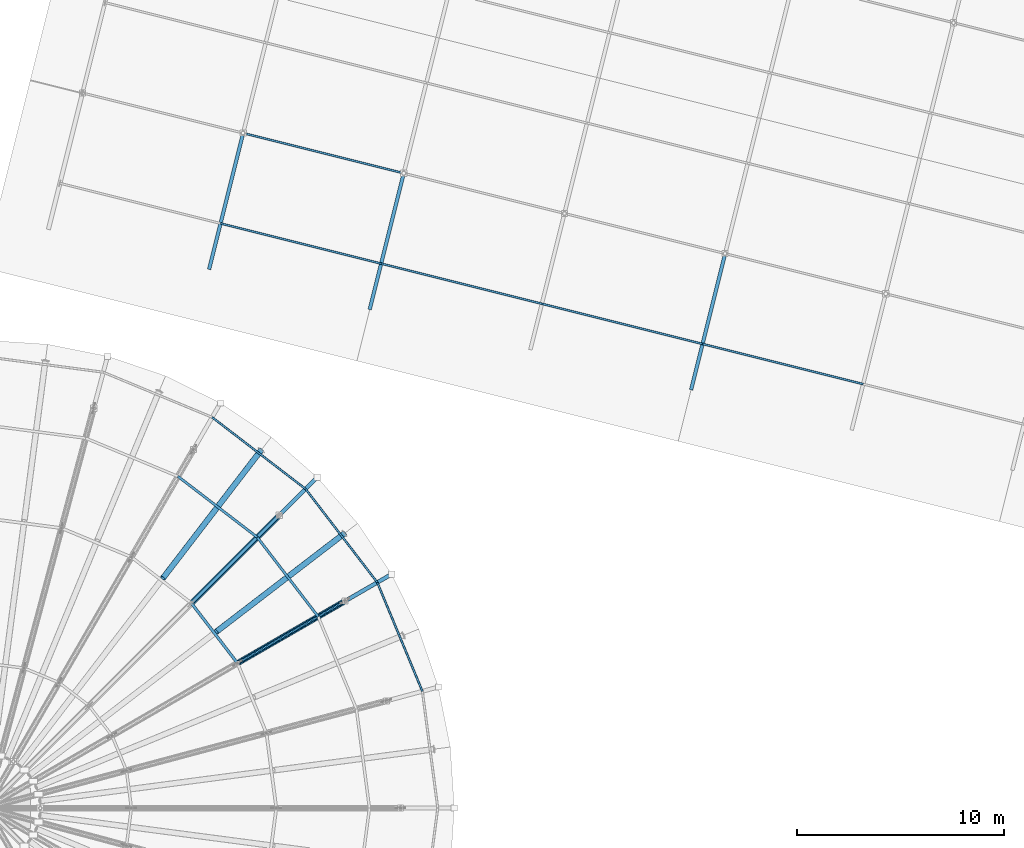
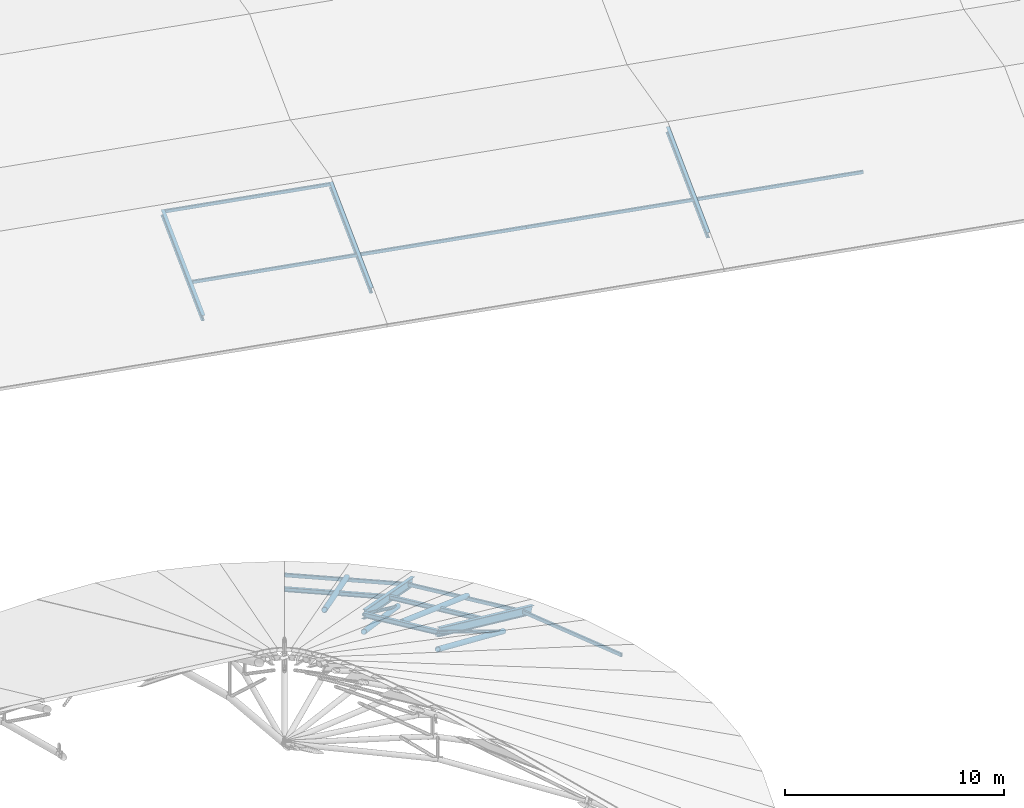
# One storey, part 52 of 107: 22 members.
"""IFC4 building model written with IfcOpenShell, lengths in metres."""

from ifc_helpers import new_model, si_unit, derived_unit, direction, frame, origin, origin_2d, place, context, subcontext, project, spatial, hollow_rectangle, hollow_circle, i_section, extrude, material, material_profile, profile_set, type_object, element, save


model = new_model("IFC4")

# Units and contexts
model_context = context("Model", 3, precision=1e-05, world=origin(), true_north=direction((0.0, 1.0)))
body_context = subcontext(model_context, "Body", "Model", "MODEL_VIEW")
ifc_project = project(units=[si_unit("LENGTHUNIT", "METRE"), si_unit("AREAUNIT", "SQUARE_METRE"), si_unit("VOLUMEUNIT", "CUBIC_METRE"), si_unit("PLANEANGLEUNIT", "RADIAN"), si_unit("MASSUNIT", "GRAM", prefix="KILO"), si_unit("THERMODYNAMICTEMPERATUREUNIT", "KELVIN"), si_unit("TIMEUNIT", "SECOND"), derived_unit("THERMALTRANSMITTANCEUNIT", [(si_unit("MASSUNIT", "GRAM", prefix="KILO"), 1), (si_unit("THERMODYNAMICTEMPERATUREUNIT", "KELVIN"), -1), (si_unit("TIMEUNIT", "SECOND"), -3)])], contexts=[model_context])

# Site, building, storey
site_placement = place(None, origin())
site = spatial("IfcSite", under=ifc_project, at=site_placement, CompositionType="ELEMENT")
building_placement = place(site_placement, origin())
building = spatial("IfcBuilding", under=site, at=building_placement, Name="Cambertide Market Hall", CompositionType="ELEMENT")
storey_placement = place(building_placement, frame((0.0, 0.0, 18.300048828125)))
storey = spatial("IfcBuildingStorey", under=building, at=storey_placement, Name="RF", CompositionType="ELEMENT", Elevation=18.300048828125)

# Members
ifc_material_1 = material(Name="Steel S355", Category="steel")
ifc_material_profile_1 = material_profile(ifc_material_1, hollow_circle(Radius=0.136474609375, WallThickness=0.010009765625, at=origin_2d()), Name="CHS 273x10")
ifc_profile_set_1 = profile_set([ifc_material_profile_1], Name="Steel S355")
member_type_1 = type_object("IfcMemberType", Name="Arched Truss Chord CHS 273x10", PredefinedType="CHORD", material=ifc_profile_set_1)
for number, where, z_axis, x_axis, name in (
    (1, (117.124267578125, 79.0, -7.756103515625), (0.7934706706, 0.458098458952, -0.400687030991), (-0.499990139034, 0.866031096941, 0.0), "Half-Cone Radial Arch Chord E-16-3"),
    (2, (114.8994140625, 81.8994140625, -7.756103515625), (0.647860639623, 0.647860639623, -0.400690882419), (-0.707106781187, 0.707106781187, 0.0), "Half-Cone Radial Arch Chord E-18-3"),
):
    element("IfcMember", number, at=place(storey_placement, frame(where, z_axis=z_axis, x_axis=x_axis)), inside=storey, type_object=member_type_1, Name=name, PredefinedType="CHORD", context=body_context, shape_type="SweptSolid", body=[
        extrude(hollow_circle(Radius=0.136474609375, WallThickness=0.010009765625, at=origin_2d()), origin(), (0.0, 0.0, 1.0), 6.548828125),
    ])
ifc_material_2 = material(Name="Steel S355", Category="steel")
ifc_material_profile_2 = material_profile(ifc_material_2, hollow_circle(Radius=0.136474609375, WallThickness=0.010009765625, at=origin_2d()), Name="CHS 273x10")
ifc_profile_set_2 = profile_set([ifc_material_profile_2], Name="Steel S355")
member_type_2 = type_object("IfcMemberType", Name="Exterior Radial Fan Rafter CHS 273x10", PredefinedType="RAFTER", material=ifc_profile_set_2)
for number, where, z_axis, x_axis, name in (
    (3, (116.10693359375, 80.522705078125, -6.7900390625), (0.720764281004, 0.553049453634, -0.417893710247), (-0.608752816622, 0.793359948734, 0.0), "RAF-E-17-B"),
    (4, (113.522705078125, 83.10693359375, -6.7900390625), (0.553049453634, 0.720764281004, -0.417893710247), (-0.793359948734, 0.608752816622, 0.0), "RAF-E-19-B"),
):
    element("IfcMember", number, at=place(storey_placement, frame(where, z_axis=z_axis, x_axis=x_axis)), inside=storey, type_object=member_type_2, Name=name, PredefinedType="RAFTER", context=body_context, shape_type="SweptSolid", body=[
        extrude(hollow_circle(Radius=0.136474609375, WallThickness=0.010009765625, at=origin_2d()), origin(), (0.0, 0.0, 1.0), 8.585693359375),
    ])
ifc_material_3 = material(Name="Steel S355", Category="steel")
ifc_material_profile_3 = material_profile(ifc_material_3, i_section(OverallWidth=0.18994140625, OverallDepth=0.449951171875, WebThickness=0.009521484375, FlangeThickness=0.0146484375, FilletRadius=0.02099609375, at=origin_2d()), Name="IPE 450")
ifc_profile_set_3 = profile_set([ifc_material_profile_3], Name="Steel S355")
member_type_3 = type_object("IfcMemberType", Name="Exterior Radial Fan Rafter IPE 450", PredefinedType="RAFTER", material=ifc_profile_set_3)
for number, where, z_axis, x_axis, name in (
    (5, (117.124267578125, 79.0, -6.7900390625), (0.78677929532, 0.454241443881, -0.417903159975), (-0.499995216735, 0.866028165386, 0.0), "Half-Cone Radial Truss Rafter E-16-3"),
    (6, (114.8994140625, 81.8994140625, -6.7900390625), (0.642401539007, 0.642401539007, -0.417900138025), (-0.707106781187, 0.707106781187, 0.0), "Half-Cone Radial Truss Rafter E-18-3"),
):
    element("IfcMember", number, at=place(storey_placement, frame(where, z_axis=z_axis, x_axis=x_axis)), inside=storey, type_object=member_type_3, Name=name, PredefinedType="RAFTER", context=body_context, shape_type="SweptSolid", body=[
        extrude(i_section(OverallWidth=0.18994140625, OverallDepth=0.449951171875, WebThickness=0.009521484375, FlangeThickness=0.0146484375, FilletRadius=0.02099609375, at=origin_2d()), origin(), (0.0, 0.0, 1.0), 9.466552734375),
    ])
ifc_material_4 = material(Name="Steel S275", Category="steel")
ifc_material_profile_4 = material_profile(ifc_material_4, hollow_rectangle(XDim=0.10009765625, YDim=0.199951171875, WallThickness=0.00634765625, InnerFilletRadius=0.00634765625, OuterFilletRadius=0.0126953125, at=origin_2d()), Name="RHS 200x100x6.3")
ifc_profile_set_4 = profile_set([ifc_material_profile_4], Name="Steel S275")
member_type_4 = type_object("IfcMemberType", Name="Exterior Roof Purlin RHS 200x100x6.3", PredefinedType="PURLIN", material=ifc_profile_set_4)
member_1_placement = place(storey_placement, frame((126.05712890625, 77.642333984375, -10.3779296875), z_axis=(-0.382680170901, 0.923880883447, 0.0), x_axis=(-0.923880883447, -0.382680170901, 0.0)))
element("IfcMember", 7, at=member_1_placement, inside=storey, type_object=member_type_4, Name="CPUR-E-218-08", PredefinedType="PURLIN", context=body_context, shape_type="SweptSolid", body=[
    extrude(hollow_rectangle(XDim=0.10009765625, YDim=0.199951171875, WallThickness=0.00634765625, InnerFilletRadius=0.00634765625, OuterFilletRadius=0.0126953125, at=origin_2d()), origin(), (0.0, 0.0, 1.0), 5.690673828125),
])
for number, where, z_axis, x_axis, name in (
    (8, (123.87939453125, 82.89990234375, -10.3779296875), (-0.608735904226, 0.793372925494, 0.0), (-0.793372925494, -0.608735904226, 0.0), "CPUR-E-218-09"),
    (9, (120.4150390625, 87.4150390625, -10.3779296875), (-0.793372925494, 0.608735904226, 0.0), (-0.608735904226, -0.793372925494, 0.0), "CPUR-E-218-10"),
):
    element("IfcMember", number, at=place(storey_placement, frame(where, z_axis=z_axis, x_axis=x_axis)), inside=storey, type_object=member_type_4, Name=name, PredefinedType="PURLIN", context=body_context, shape_type="SweptSolid", body=[
        extrude(hollow_rectangle(XDim=0.10009765625, YDim=0.199951171875, WallThickness=0.00634765625, InnerFilletRadius=0.00634765625, OuterFilletRadius=0.0126953125, at=origin_2d()), origin(), (0.0, 0.0, 1.0), 5.691162109375),
    ])
ifc_material_5 = material(Name="Steel S355", Category="steel")
ifc_material_profile_5 = material_profile(ifc_material_5, i_section(OverallWidth=0.169921875, OverallDepth=0.360107421875, WebThickness=0.008056640625, FlangeThickness=0.0126953125, FilletRadius=0.01806640625, at=origin_2d()), Name="IPE 360")
ifc_profile_set_5 = profile_set([ifc_material_profile_5], Name="Steel S355")
member_type_5 = type_object("IfcMemberType", Name="Radial Fan Rafter IPE 360", PredefinedType="RAFTER", material=ifc_profile_set_5)
member_2_placement = place(storey_placement, frame((115.76123046875, 98.059814453125, -0.3701171875), z_axis=(0.237649836416, 0.950670233014, 0.199370668135), x_axis=(-0.970146755268, 0.24251860391, 0.0)))
element("IfcMember", 10, at=member_2_placement, inside=storey, type_object=member_type_5, Name="RAF-V4-2-1", PredefinedType="RAFTER", context=body_context, shape_type="SweptSolid", body=[
    extrude(i_section(OverallWidth=0.169921875, OverallDepth=0.360107421875, WebThickness=0.008056640625, FlangeThickness=0.0126953125, FilletRadius=0.01806640625, at=origin_2d()), origin(), (0.0, 0.0, 1.0), 6.88818359375),
])
for number, where, z_axis, x_axis, name in (
    (11, (123.522216796875, 96.119384765625, -0.3701171875), (0.237675269494, 0.950665635794, 0.199362271235), (-0.970140372565, 0.242544135198, 0.0), "RAF-V4-3-1"),
    (12, (139.044677734375, 92.23876953125, -0.3701171875), (0.237641829002, 0.950673643448, 0.199363950505), (-0.970148882494, 0.242510094215, 0.0), "RAF-V4-5-1"),
):
    element("IfcMember", number, at=place(storey_placement, frame(where, z_axis=z_axis, x_axis=x_axis)), inside=storey, type_object=member_type_5, Name=name, PredefinedType="RAFTER", context=body_context, shape_type="SweptSolid", body=[
        extrude(i_section(OverallWidth=0.169921875, OverallDepth=0.360107421875, WebThickness=0.008056640625, FlangeThickness=0.0126953125, FilletRadius=0.01806640625, at=origin_2d()), origin(), (0.0, 0.0, 1.0), 6.888427734375),
    ])
ifc_material_6 = material(Name="Steel S275", Category="steel")
ifc_material_profile_6 = material_profile(ifc_material_6, i_section(OverallWidth=0.1201171875, OverallDepth=0.239990234375, WebThickness=0.006103515625, FlangeThickness=0.009765625, FilletRadius=0.014892578125, at=origin_2d()), Name="IPE 240")
ifc_profile_set_6 = profile_set([ifc_material_profile_6], Name="Steel S275")
member_type_6 = type_object("IfcMemberType", Name="Roof Purlin IPE 240", PredefinedType="PURLIN", material=ifc_profile_set_6)
for number, where, z_axis, x_axis, name in (
    (13, (121.021484375, 81.25, -8.860107421875), (-0.60874775518, 0.793363832402, 0.0), (-0.793363832402, -0.60874775518, 0.0), "CPUR-E-185-09"),
    (14, (118.08154296875, 85.08154296875, -8.860107421875), (-0.793363832402, 0.60874775518, 0.0), (-0.60874775518, -0.793363832402, 0.0), "CPUR-E-185-10"),
):
    element("IfcMember", number, at=place(storey_placement, frame(where, z_axis=z_axis, x_axis=x_axis)), inside=storey, type_object=member_type_6, Name=name, PredefinedType="PURLIN", context=body_context, shape_type="SweptSolid", body=[
        extrude(i_section(OverallWidth=0.1201171875, OverallDepth=0.239990234375, WebThickness=0.006103515625, FlangeThickness=0.009765625, FilletRadius=0.014892578125, at=origin_2d()), origin(), (0.0, 0.0, 1.0), 4.82958984375),
    ])
ifc_material_7 = material(Name="Steel S275", Category="steel")
ifc_material_profile_7 = material_profile(ifc_material_7, i_section(OverallWidth=0.135009765625, OverallDepth=0.27001953125, WebThickness=0.006591796875, FlangeThickness=0.01025390625, FilletRadius=0.014892578125, at=origin_2d()), Name="IPE 270")
ifc_profile_set_7 = profile_set([ifc_material_profile_7], Name="Steel S275")
member_type_7 = type_object("IfcMemberType", Name="Roof Purlin IPE 270", PredefinedType="PURLIN", material=ifc_profile_set_7)
member_3_placement = place(storey_placement, frame((117.124267578125, 79.0, -6.7900390625), z_axis=(-0.608770876338, 0.793346091011, 0.0), x_axis=(-0.793346091011, -0.608770876338, 0.0)))
element("IfcMember", 15, at=member_3_placement, inside=storey, type_object=member_type_7, Name="CPUR-E-140-09", PredefinedType="PURLIN", context=body_context, shape_type="SweptSolid", body=[
    extrude(i_section(OverallWidth=0.135009765625, OverallDepth=0.27001953125, WebThickness=0.006591796875, FlangeThickness=0.01025390625, FilletRadius=0.014892578125, at=origin_2d()), origin(), (0.0, 0.0, 1.0), 3.65478515625),
])
ifc_material_8 = material(Name="Steel S275", Category="steel")
ifc_material_profile_8 = material_profile(ifc_material_8, hollow_rectangle(XDim=0.10009765625, YDim=0.179931640625, WallThickness=0.00634765625, InnerFilletRadius=0.00634765625, OuterFilletRadius=0.0126953125, at=origin_2d()), Name="RHS 180x100x6.3")
ifc_profile_set_8 = profile_set([ifc_material_profile_8], Name="Steel S275")
member_type_8 = type_object("IfcMemberType", Name="Roof Purlin RHS 180x100x6.3", PredefinedType="PURLIN", material=ifc_profile_set_8)
member_4_placement = place(storey_placement, frame((116.306884765625, 100.242431640625, 0.11767578125), z_axis=(0.970144295309, -0.242528444268, 0.0), x_axis=(0.242528444268, 0.970144295309, 0.0)))
element("IfcMember", 16, at=member_4_placement, inside=storey, type_object=member_type_8, Name="PUR-V4-2-22", PredefinedType="PURLIN", context=body_context, shape_type="SweptSolid", body=[
    extrude(hollow_rectangle(XDim=0.10009765625, YDim=0.179931640625, WallThickness=0.00634765625, InnerFilletRadius=0.00634765625, OuterFilletRadius=0.0126953125, at=origin_2d()), origin(), (0.0, 0.0, 1.0), 7.999755859375),
])
for number, where, z_axis, x_axis, name in (
    (17, (117.398193359375, 104.608154296875, 1.033203125), (0.970146090314, -0.242521263911, 0.0), (0.242521263911, 0.970146090314, 0.0), "PUR-V4-2-67"),
    (18, (124.06787109375, 98.30224609375, 0.11767578125), (0.970146090314, -0.242521263911, 0.0), (0.242521263911, 0.970146090314, 0.0), "PUR-V4-3-22"),
):
    element("IfcMember", number, at=place(storey_placement, frame(where, z_axis=z_axis, x_axis=x_axis)), inside=storey, type_object=member_type_8, Name=name, PredefinedType="PURLIN", context=body_context, shape_type="SweptSolid", body=[
        extrude(hollow_rectangle(XDim=0.10009765625, YDim=0.179931640625, WallThickness=0.00634765625, InnerFilletRadius=0.00634765625, OuterFilletRadius=0.0126953125, at=origin_2d()), origin(), (0.0, 0.0, 1.0), 8.0),
    ])
member_5_placement = place(storey_placement, frame((131.8291015625, 96.362060546875, 0.11767578125), z_axis=(0.970138909791, -0.242549986002, 0.0), x_axis=(0.242549986002, 0.970138909791, 0.0)))
element("IfcMember", 19, at=member_5_placement, inside=storey, type_object=member_type_8, Name="PUR-V4-4-22", PredefinedType="PURLIN", context=body_context, shape_type="SweptSolid", body=[
    extrude(hollow_rectangle(XDim=0.10009765625, YDim=0.179931640625, WallThickness=0.00634765625, InnerFilletRadius=0.00634765625, OuterFilletRadius=0.0126953125, at=origin_2d()), origin(), (0.0, 0.0, 1.0), 8.000244140625),
])
member_6_placement = place(storey_placement, frame((139.59033203125, 94.421630859375, 0.11767578125), z_axis=(0.970144295309, -0.242528444268, 0.0), x_axis=(0.242528444268, 0.970144295309, 0.0)))
element("IfcMember", 20, at=member_6_placement, inside=storey, type_object=member_type_8, Name="PUR-V4-5-22", PredefinedType="PURLIN", context=body_context, shape_type="SweptSolid", body=[
    extrude(hollow_rectangle(XDim=0.10009765625, YDim=0.179931640625, WallThickness=0.00634765625, InnerFilletRadius=0.00634765625, OuterFilletRadius=0.0126953125, at=origin_2d()), origin(), (0.0, 0.0, 1.0), 7.999755859375),
])
ifc_material_9 = material(Name="Steel S355", Category="steel")
ifc_material_profile_9 = material_profile(ifc_material_9, hollow_circle(Radius=0.084228515625, WallThickness=0.00634765625, at=origin_2d()), Name="CHS 168.3x6.3")
ifc_profile_set_9 = profile_set([ifc_material_profile_9], Name="Steel S355")
member_type_9 = type_object("IfcMemberType", Name="Structural Brace CHS 168.3x6.3", PredefinedType="BRACE", material=ifc_profile_set_9)
for number, where, z_axis, x_axis, name in (
    (21, (122.320556640625, 82.0, -10.380126953125), (-0.743160490346, -0.429052626638, 0.513445546445), (0.499990139034, -0.866031096941, 0.0), "RWB-E-16-D3"),
    (22, (119.14208984375, 86.14208984375, -10.380126953125), (-0.60678217885, -0.60678217885, 0.513449875704), (0.707106781187, -0.707106781187, 0.0), "RWB-E-18-D3"),
):
    element("IfcMember", number, at=place(storey_placement, frame(where, z_axis=z_axis, x_axis=x_axis)), inside=storey, type_object=member_type_9, Name=name, PredefinedType="BRACE", context=body_context, shape_type="SweptSolid", body=[
        extrude(hollow_circle(Radius=0.084228515625, WallThickness=0.00634765625, at=origin_2d()), origin(), (0.0, 0.0, 1.0), 6.9921875),
    ])

save(model, "model.ifc")
